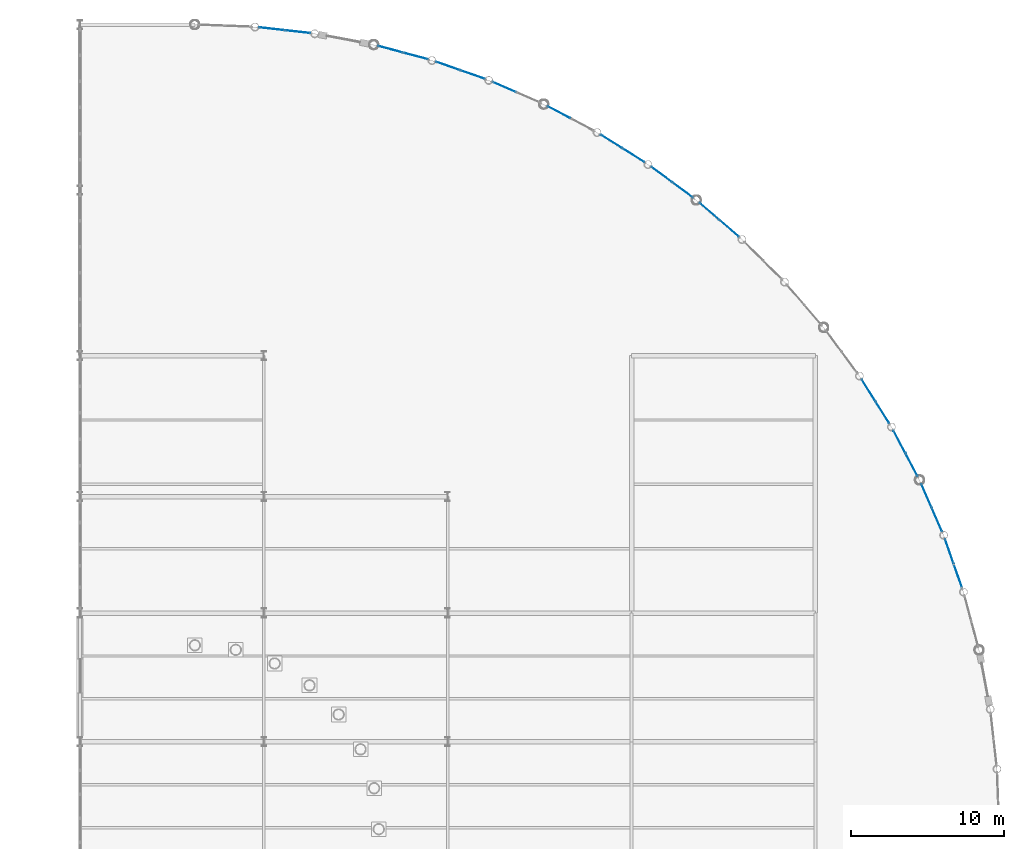
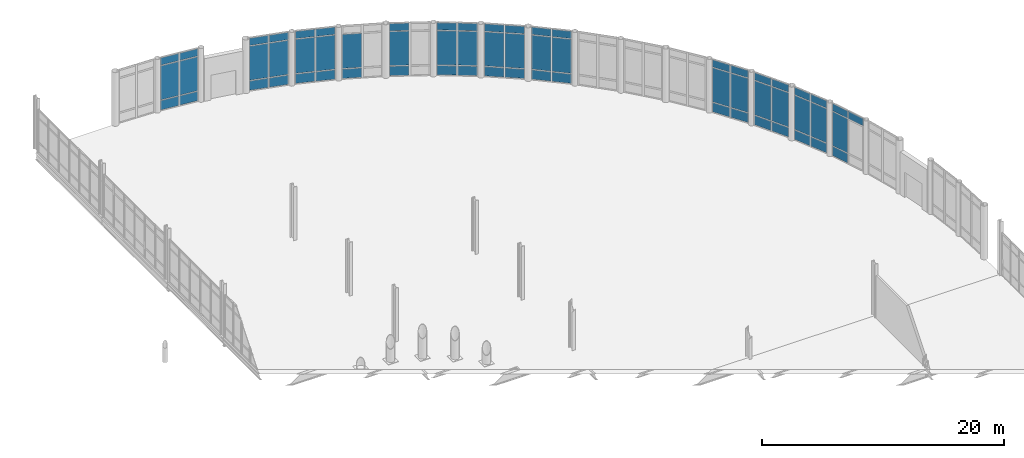
# One storey, part 92 of 111: 63 plates, 12 elements without a shape of their own.
"""IFC4 building model written with IfcOpenShell, lengths in metres."""

from ifc_helpers import new_model, si_unit, direction, frame, origin, origin_2d, place, context, subcontext, project, spatial, rectangle, extrude, material, layer, layer_set, type_object, element, aggregate, save


model = new_model("IFC4")

# Units and contexts
model_context = context("Model", 3, precision=1e-05, world=origin(), true_north=direction((0.0, 1.0)))
body_context = subcontext(model_context, "Body", "Model", "MODEL_VIEW")
ifc_project = project(units=[si_unit("LENGTHUNIT", "METRE"), si_unit("AREAUNIT", "SQUARE_METRE"), si_unit("VOLUMEUNIT", "CUBIC_METRE"), si_unit("PLANEANGLEUNIT", "RADIAN"), si_unit("MASSUNIT", "GRAM", prefix="KILO"), si_unit("THERMODYNAMICTEMPERATUREUNIT", "KELVIN"), si_unit("POWERUNIT", "WATT")], contexts=[model_context])

# Site, building, storey
site_placement = place(None, origin())
site = spatial("IfcSite", under=ifc_project, at=site_placement, CompositionType="ELEMENT")
building_placement = place(site_placement, origin())
building = spatial("IfcBuilding", under=site, at=building_placement, Name="Tembeka Court Mobility Hub", CompositionType="ELEMENT")
storey_placement = place(building_placement, origin())
storey = spatial("IfcBuildingStorey", under=building, at=storey_placement, Name="L00", CompositionType="ELEMENT", Elevation=0.0)

# Curtain wall, plates
ifc_material_1 = material(Name="Anodised aluminium 6063-T6", Category="aluminium")
ifc_layer_1 = layer(ifc_material_1, 0.199951171875)
ifc_layer_set_1 = layer_set([ifc_layer_1], Name="Anodised aluminium 6063-T6")
curtain_wall_type = type_object("IfcCurtainWallType", Name="CW-SYS24", PredefinedType="USERDEFINED", material=ifc_layer_set_1)
curtain_wall_1_placement = place(storey_placement, origin())
curtain_wall_1 = element("IfcCurtainWall", 1, at=curtain_wall_1_placement, inside=storey, type_object=curtain_wall_type, Name="Unitised curtain wall CW24 (CW-L00-051)", ObjectType="UNITISED GLAZING", PredefinedType="USERDEFINED")
ifc_material_2 = material(Name="Laminated solar-control low-E glass", Category="glass")
ifc_layer_2 = layer(ifc_material_2, 0.028076171875)
ifc_layer_set_2 = layer_set([ifc_layer_2], Name="Laminated solar-control low-E glass")
plate_type = type_object("IfcPlateType", Name="PL-CW01", PredefinedType="CURTAIN_PANEL", material=ifc_layer_set_2)
plate_1_placement = place(storey_placement, frame((173.700927734375, 82.822509765625, 4.58740234375), z_axis=(0.0, 0.0, 1.0), x_axis=(-0.330263534352, 0.943888763508, 0.0)))
plate_1 = element("IfcPlate", 2, at=plate_1_placement, type_object=plate_type, Name="CW24 panel 1.3", PredefinedType="CURTAIN_PANEL", context=body_context, shape_type="SweptSolid", body=[
    extrude(rectangle(XDim=1.630615234375, YDim=0.028076171875, at=origin_2d()), origin(), (0.0, 0.0, 1.0), 0.737548828125),
])
plate_2_placement = place(storey_placement, frame((173.1376953125, 84.432373046875, 0.074951171875), z_axis=(0.0, 0.0, 1.0), x_axis=(-0.330263534352, 0.943888763508, 0.0)))
plate_2 = element("IfcPlate", 3, at=plate_2_placement, type_object=plate_type, Name="CW24 panel 2.1", PredefinedType="CURTAIN_PANEL", context=body_context, shape_type="SweptSolid", body=[
    extrude(rectangle(XDim=1.630615234375, YDim=0.028076171875, at=origin_2d()), origin(), (0.0, 0.0, 1.0), 0.9375),
])
plate_3_placement = place(storey_placement, frame((173.1376953125, 84.432373046875, 1.08740234375), z_axis=(0.0, 0.0, 1.0), x_axis=(-0.330263534352, 0.943888763508, 0.0)))
plate_3 = element("IfcPlate", 4, at=plate_3_placement, type_object=plate_type, Name="CW24 panel 2.2", PredefinedType="CURTAIN_PANEL", context=body_context, shape_type="SweptSolid", body=[
    extrude(rectangle(XDim=1.630615234375, YDim=0.028076171875, at=origin_2d()), origin(), (0.0, 0.0, 1.0), 3.425048828125),
])
plate_4_placement = place(storey_placement, frame((173.1376953125, 84.432373046875, 4.58740234375), z_axis=(0.0, 0.0, 1.0), x_axis=(-0.330263534352, 0.943888763508, 0.0)))
plate_4 = element("IfcPlate", 5, at=plate_4_placement, type_object=plate_type, Name="CW24 panel 2.3", PredefinedType="CURTAIN_PANEL", context=body_context, shape_type="SweptSolid", body=[
    extrude(rectangle(XDim=1.630615234375, YDim=0.028076171875, at=origin_2d()), origin(), (0.0, 0.0, 1.0), 0.737548828125),
])
aggregate(curtain_wall_1, [plate_1, plate_2, plate_3, plate_4])

curtain_wall_2_placement = place(storey_placement, origin())
curtain_wall_2 = element("IfcCurtainWall", 6, at=curtain_wall_2_placement, inside=storey, type_object=curtain_wall_type, Name="Unitised curtain wall CW24 (CW-L00-053)", ObjectType="UNITISED GLAZING", PredefinedType="USERDEFINED")
plate_5_placement = place(storey_placement, frame((172.326904296875, 86.498046875, 0.074951171875), z_axis=(0.0, 0.0, 1.0), x_axis=(-0.399869097757, 0.916572258286, 0.0)))
plate_5 = element("IfcPlate", 7, at=plate_5_placement, type_object=plate_type, Name="CW24 panel 1.1", PredefinedType="CURTAIN_PANEL", context=body_context, shape_type="SweptSolid", body=[
    extrude(rectangle(XDim=1.630615234375, YDim=0.028076171875, at=origin_2d()), origin(), (0.0, 0.0, 1.0), 0.9375),
])
plate_6_placement = place(storey_placement, frame((172.326904296875, 86.498046875, 1.08740234375), z_axis=(0.0, 0.0, 1.0), x_axis=(-0.399869097757, 0.916572258286, 0.0)))
plate_6 = element("IfcPlate", 8, at=plate_6_placement, type_object=plate_type, Name="CW24 panel 1.2", PredefinedType="CURTAIN_PANEL", context=body_context, shape_type="SweptSolid", body=[
    extrude(rectangle(XDim=1.630615234375, YDim=0.028076171875, at=origin_2d()), origin(), (0.0, 0.0, 1.0), 3.425048828125),
])
plate_7_placement = place(storey_placement, frame((172.326904296875, 86.498046875, 4.58740234375), z_axis=(0.0, 0.0, 1.0), x_axis=(-0.399869097757, 0.916572258286, 0.0)))
plate_7 = element("IfcPlate", 9, at=plate_7_placement, type_object=plate_type, Name="CW24 panel 1.3", PredefinedType="CURTAIN_PANEL", context=body_context, shape_type="SweptSolid", body=[
    extrude(rectangle(XDim=1.630615234375, YDim=0.028076171875, at=origin_2d()), origin(), (0.0, 0.0, 1.0), 0.737548828125),
])
plate_8_placement = place(storey_placement, frame((171.64501953125, 88.061279296875, 0.074951171875), z_axis=(0.0, 0.0, 1.0), x_axis=(-0.399869097757, 0.916572258286, 0.0)))
plate_8 = element("IfcPlate", 10, at=plate_8_placement, type_object=plate_type, Name="CW24 panel 2.1", PredefinedType="CURTAIN_PANEL", context=body_context, shape_type="SweptSolid", body=[
    extrude(rectangle(XDim=1.630615234375, YDim=0.028076171875, at=origin_2d()), origin(), (0.0, 0.0, 1.0), 0.9375),
])
plate_9_placement = place(storey_placement, frame((171.64501953125, 88.061279296875, 1.08740234375), z_axis=(0.0, 0.0, 1.0), x_axis=(-0.399869097757, 0.916572258286, 0.0)))
plate_9 = element("IfcPlate", 11, at=plate_9_placement, type_object=plate_type, Name="CW24 panel 2.2", PredefinedType="CURTAIN_PANEL", context=body_context, shape_type="SweptSolid", body=[
    extrude(rectangle(XDim=1.630615234375, YDim=0.028076171875, at=origin_2d()), origin(), (0.0, 0.0, 1.0), 3.425048828125),
])
plate_10_placement = place(storey_placement, frame((171.64501953125, 88.061279296875, 4.58740234375), z_axis=(0.0, 0.0, 1.0), x_axis=(-0.399869097757, 0.916572258286, 0.0)))
plate_10 = element("IfcPlate", 12, at=plate_10_placement, type_object=plate_type, Name="CW24 panel 2.3", PredefinedType="CURTAIN_PANEL", context=body_context, shape_type="SweptSolid", body=[
    extrude(rectangle(XDim=1.630615234375, YDim=0.028076171875, at=origin_2d()), origin(), (0.0, 0.0, 1.0), 0.737548828125),
])
aggregate(curtain_wall_2, [plate_5, plate_6, plate_7, plate_8, plate_9, plate_10])

curtain_wall_3_placement = place(storey_placement, origin())
curtain_wall_3 = element("IfcCurtainWall", 13, at=curtain_wall_3_placement, inside=storey, type_object=curtain_wall_type, Name="Unitised curtain wall CW24 (CW-L00-055)", ObjectType="UNITISED GLAZING", PredefinedType="USERDEFINED")
plate_11_placement = place(storey_placement, frame((170.68212890625, 90.060546875, 0.074951171875), z_axis=(0.0, 0.0, 1.0), x_axis=(-0.467282662225, 0.884107976202, 0.0)))
plate_11 = element("IfcPlate", 14, at=plate_11_placement, type_object=plate_type, Name="CW24 panel 1.1", PredefinedType="CURTAIN_PANEL", context=body_context, shape_type="SweptSolid", body=[
    extrude(rectangle(XDim=1.630615234375, YDim=0.028076171875, at=origin_2d()), origin(), (0.0, 0.0, 1.0), 0.9375),
])
plate_12_placement = place(storey_placement, frame((170.68212890625, 90.060546875, 1.08740234375), z_axis=(0.0, 0.0, 1.0), x_axis=(-0.467282662225, 0.884107976202, 0.0)))
plate_12 = element("IfcPlate", 15, at=plate_12_placement, type_object=plate_type, Name="CW24 panel 1.2", PredefinedType="CURTAIN_PANEL", context=body_context, shape_type="SweptSolid", body=[
    extrude(rectangle(XDim=1.630615234375, YDim=0.028076171875, at=origin_2d()), origin(), (0.0, 0.0, 1.0), 3.425048828125),
])
plate_13_placement = place(storey_placement, frame((170.68212890625, 90.060546875, 4.58740234375), z_axis=(0.0, 0.0, 1.0), x_axis=(-0.467282662225, 0.884107976202, 0.0)))
plate_13 = element("IfcPlate", 16, at=plate_13_placement, type_object=plate_type, Name="CW24 panel 1.3", PredefinedType="CURTAIN_PANEL", context=body_context, shape_type="SweptSolid", body=[
    extrude(rectangle(XDim=1.630615234375, YDim=0.028076171875, at=origin_2d()), origin(), (0.0, 0.0, 1.0), 0.737548828125),
])
plate_14_placement = place(storey_placement, frame((169.885009765625, 91.568359375, 0.074951171875), z_axis=(0.0, 0.0, 1.0), x_axis=(-0.467282662225, 0.884107976202, 0.0)))
plate_14 = element("IfcPlate", 17, at=plate_14_placement, type_object=plate_type, Name="CW24 panel 2.1", PredefinedType="CURTAIN_PANEL", context=body_context, shape_type="SweptSolid", body=[
    extrude(rectangle(XDim=1.630615234375, YDim=0.028076171875, at=origin_2d()), origin(), (0.0, 0.0, 1.0), 0.9375),
])
plate_15_placement = place(storey_placement, frame((169.885009765625, 91.568359375, 1.08740234375), z_axis=(0.0, 0.0, 1.0), x_axis=(-0.467282662225, 0.884107976202, 0.0)))
plate_15 = element("IfcPlate", 18, at=plate_15_placement, type_object=plate_type, Name="CW24 panel 2.2", PredefinedType="CURTAIN_PANEL", context=body_context, shape_type="SweptSolid", body=[
    extrude(rectangle(XDim=1.630615234375, YDim=0.028076171875, at=origin_2d()), origin(), (0.0, 0.0, 1.0), 3.425048828125),
])
plate_16_placement = place(storey_placement, frame((169.885009765625, 91.568359375, 4.58740234375), z_axis=(0.0, 0.0, 1.0), x_axis=(-0.467282662225, 0.884107976202, 0.0)))
plate_16 = element("IfcPlate", 19, at=plate_16_placement, type_object=plate_type, Name="CW24 panel 2.3", PredefinedType="CURTAIN_PANEL", context=body_context, shape_type="SweptSolid", body=[
    extrude(rectangle(XDim=1.630615234375, YDim=0.028076171875, at=origin_2d()), origin(), (0.0, 0.0, 1.0), 0.737548828125),
])
aggregate(curtain_wall_3, [plate_11, plate_12, plate_13, plate_14, plate_15, plate_16])

curtain_wall_4_placement = place(storey_placement, origin())
curtain_wall_4 = element("IfcCurtainWall", 20, at=curtain_wall_4_placement, inside=storey, type_object=curtain_wall_type, Name="Unitised curtain wall CW24 (CW-L00-057)", ObjectType="UNITISED GLAZING", PredefinedType="USERDEFINED")
plate_17_placement = place(storey_placement, frame((168.775634765625, 93.489990234375, 0.074951171875), z_axis=(0.0, 0.0, 1.0), x_axis=(-0.532057570744, 0.846708179607, 0.0)))
plate_17 = element("IfcPlate", 21, at=plate_17_placement, type_object=plate_type, Name="CW24 panel 1.1", PredefinedType="CURTAIN_PANEL", context=body_context, shape_type="SweptSolid", body=[
    extrude(rectangle(XDim=1.630615234375, YDim=0.028076171875, at=origin_2d()), origin(), (0.0, 0.0, 1.0), 0.9375),
])
plate_18_placement = place(storey_placement, frame((168.775634765625, 93.489990234375, 1.08740234375), z_axis=(0.0, 0.0, 1.0), x_axis=(-0.532057570744, 0.846708179607, 0.0)))
plate_18 = element("IfcPlate", 22, at=plate_18_placement, type_object=plate_type, Name="CW24 panel 1.2", PredefinedType="CURTAIN_PANEL", context=body_context, shape_type="SweptSolid", body=[
    extrude(rectangle(XDim=1.630615234375, YDim=0.028076171875, at=origin_2d()), origin(), (0.0, 0.0, 1.0), 3.425048828125),
])
plate_19_placement = place(storey_placement, frame((168.775634765625, 93.489990234375, 4.58740234375), z_axis=(0.0, 0.0, 1.0), x_axis=(-0.532057570744, 0.846708179607, 0.0)))
plate_19 = element("IfcPlate", 23, at=plate_19_placement, type_object=plate_type, Name="CW24 panel 1.3", PredefinedType="CURTAIN_PANEL", context=body_context, shape_type="SweptSolid", body=[
    extrude(rectangle(XDim=1.630615234375, YDim=0.028076171875, at=origin_2d()), origin(), (0.0, 0.0, 1.0), 0.737548828125),
])
plate_20_placement = place(storey_placement, frame((167.8681640625, 94.93408203125, 0.074951171875), z_axis=(0.0, 0.0, 1.0), x_axis=(-0.532057570744, 0.846708179607, 0.0)))
plate_20 = element("IfcPlate", 24, at=plate_20_placement, type_object=plate_type, Name="CW24 panel 2.1", PredefinedType="CURTAIN_PANEL", context=body_context, shape_type="SweptSolid", body=[
    extrude(rectangle(XDim=1.630615234375, YDim=0.028076171875, at=origin_2d()), origin(), (0.0, 0.0, 1.0), 0.9375),
])
plate_21_placement = place(storey_placement, frame((167.8681640625, 94.93408203125, 1.08740234375), z_axis=(0.0, 0.0, 1.0), x_axis=(-0.532057570744, 0.846708179607, 0.0)))
plate_21 = element("IfcPlate", 25, at=plate_21_placement, type_object=plate_type, Name="CW24 panel 2.2", PredefinedType="CURTAIN_PANEL", context=body_context, shape_type="SweptSolid", body=[
    extrude(rectangle(XDim=1.630615234375, YDim=0.028076171875, at=origin_2d()), origin(), (0.0, 0.0, 1.0), 3.425048828125),
])
plate_22_placement = place(storey_placement, frame((167.8681640625, 94.93408203125, 4.58740234375), z_axis=(0.0, 0.0, 1.0), x_axis=(-0.532057570744, 0.846708179607, 0.0)))
plate_22 = element("IfcPlate", 26, at=plate_22_placement, type_object=plate_type, Name="CW24 panel 2.3", PredefinedType="CURTAIN_PANEL", context=body_context, shape_type="SweptSolid", body=[
    extrude(rectangle(XDim=1.630615234375, YDim=0.028076171875, at=origin_2d()), origin(), (0.0, 0.0, 1.0), 0.737548828125),
])
aggregate(curtain_wall_4, [plate_17, plate_18, plate_19, plate_20, plate_21, plate_22])

curtain_wall_5_placement = place(storey_placement, origin())
curtain_wall_5 = element("IfcCurtainWall", 27, at=curtain_wall_5_placement, inside=storey, type_object=curtain_wall_type, Name="Unitised curtain wall CW24 (CW-L00-065)", ObjectType="UNITISED GLAZING", PredefinedType="USERDEFINED")
plate_23_placement = place(storey_placement, frame((158.767578125, 105.509521484375, 0.074951171875), z_axis=(0.0, 0.0, 1.0), x_axis=(-0.757955131428, 0.652306690707, 0.0)))
plate_23 = element("IfcPlate", 28, at=plate_23_placement, type_object=plate_type, Name="CW24 panel 1.1", PredefinedType="CURTAIN_PANEL", context=body_context, shape_type="SweptSolid", body=[
    extrude(rectangle(XDim=1.630615234375, YDim=0.028076171875, at=origin_2d()), origin(), (0.0, 0.0, 1.0), 0.9375),
])
plate_24_placement = place(storey_placement, frame((158.767578125, 105.509521484375, 1.08740234375), z_axis=(0.0, 0.0, 1.0), x_axis=(-0.757955131428, 0.652306690707, 0.0)))
plate_24 = element("IfcPlate", 29, at=plate_24_placement, type_object=plate_type, Name="CW24 panel 1.2", PredefinedType="CURTAIN_PANEL", context=body_context, shape_type="SweptSolid", body=[
    extrude(rectangle(XDim=1.630615234375, YDim=0.028076171875, at=origin_2d()), origin(), (0.0, 0.0, 1.0), 3.425048828125),
])
plate_25_placement = place(storey_placement, frame((158.767578125, 105.509521484375, 4.58740234375), z_axis=(0.0, 0.0, 1.0), x_axis=(-0.757955131428, 0.652306690707, 0.0)))
plate_25 = element("IfcPlate", 30, at=plate_25_placement, type_object=plate_type, Name="CW24 panel 1.3", PredefinedType="CURTAIN_PANEL", context=body_context, shape_type="SweptSolid", body=[
    extrude(rectangle(XDim=1.630615234375, YDim=0.028076171875, at=origin_2d()), origin(), (0.0, 0.0, 1.0), 0.737548828125),
])
plate_26_placement = place(storey_placement, frame((157.474853515625, 106.6220703125, 0.074951171875), z_axis=(0.0, 0.0, 1.0), x_axis=(-0.757955131428, 0.652306690707, 0.0)))
plate_26 = element("IfcPlate", 31, at=plate_26_placement, type_object=plate_type, Name="CW24 panel 2.1", PredefinedType="CURTAIN_PANEL", context=body_context, shape_type="SweptSolid", body=[
    extrude(rectangle(XDim=1.630615234375, YDim=0.028076171875, at=origin_2d()), origin(), (0.0, 0.0, 1.0), 0.9375),
])
plate_27_placement = place(storey_placement, frame((157.474853515625, 106.6220703125, 1.08740234375), z_axis=(0.0, 0.0, 1.0), x_axis=(-0.757955131428, 0.652306690707, 0.0)))
plate_27 = element("IfcPlate", 32, at=plate_27_placement, type_object=plate_type, Name="CW24 panel 2.2", PredefinedType="CURTAIN_PANEL", context=body_context, shape_type="SweptSolid", body=[
    extrude(rectangle(XDim=1.630615234375, YDim=0.028076171875, at=origin_2d()), origin(), (0.0, 0.0, 1.0), 3.425048828125),
])
plate_28_placement = place(storey_placement, frame((157.474853515625, 106.6220703125, 4.58740234375), z_axis=(0.0, 0.0, 1.0), x_axis=(-0.757955131428, 0.652306690707, 0.0)))
plate_28 = element("IfcPlate", 33, at=plate_28_placement, type_object=plate_type, Name="CW24 panel 2.3", PredefinedType="CURTAIN_PANEL", context=body_context, shape_type="SweptSolid", body=[
    extrude(rectangle(XDim=1.630615234375, YDim=0.028076171875, at=origin_2d()), origin(), (0.0, 0.0, 1.0), 0.737548828125),
])
aggregate(curtain_wall_5, [plate_23, plate_24, plate_25, plate_26, plate_27, plate_28])

curtain_wall_6_placement = place(storey_placement, origin())
curtain_wall_6 = element("IfcCurtainWall", 34, at=curtain_wall_6_placement, inside=storey, type_object=curtain_wall_type, Name="Unitised curtain wall CW24 (CW-L00-067)", ObjectType="UNITISED GLAZING", PredefinedType="USERDEFINED")
plate_29_placement = place(storey_placement, frame((155.739990234375, 108.00537109375, 0.074951171875), z_axis=(0.0, 0.0, 1.0), x_axis=(-0.804599206298, 0.593818252688, 0.0)))
plate_29 = element("IfcPlate", 35, at=plate_29_placement, type_object=plate_type, Name="CW24 panel 1.1", PredefinedType="CURTAIN_PANEL", context=body_context, shape_type="SweptSolid", body=[
    extrude(rectangle(XDim=1.630615234375, YDim=0.028076171875, at=origin_2d()), origin(), (0.0, 0.0, 1.0), 0.9375),
])
plate_30_placement = place(storey_placement, frame((155.739990234375, 108.00537109375, 1.08740234375), z_axis=(0.0, 0.0, 1.0), x_axis=(-0.804599206298, 0.593818252688, 0.0)))
plate_30 = element("IfcPlate", 36, at=plate_30_placement, type_object=plate_type, Name="CW24 panel 1.2", PredefinedType="CURTAIN_PANEL", context=body_context, shape_type="SweptSolid", body=[
    extrude(rectangle(XDim=1.630615234375, YDim=0.028076171875, at=origin_2d()), origin(), (0.0, 0.0, 1.0), 3.425048828125),
])
plate_31_placement = place(storey_placement, frame((155.739990234375, 108.00537109375, 4.58740234375), z_axis=(0.0, 0.0, 1.0), x_axis=(-0.804599206298, 0.593818252688, 0.0)))
plate_31 = element("IfcPlate", 37, at=plate_31_placement, type_object=plate_type, Name="CW24 panel 1.3", PredefinedType="CURTAIN_PANEL", context=body_context, shape_type="SweptSolid", body=[
    extrude(rectangle(XDim=1.630615234375, YDim=0.028076171875, at=origin_2d()), origin(), (0.0, 0.0, 1.0), 0.737548828125),
])
plate_32_placement = place(storey_placement, frame((154.36767578125, 109.018310546875, 0.074951171875), z_axis=(0.0, 0.0, 1.0), x_axis=(-0.804599206298, 0.593818252688, 0.0)))
plate_32 = element("IfcPlate", 38, at=plate_32_placement, type_object=plate_type, Name="CW24 panel 2.1", PredefinedType="CURTAIN_PANEL", context=body_context, shape_type="SweptSolid", body=[
    extrude(rectangle(XDim=1.630615234375, YDim=0.028076171875, at=origin_2d()), origin(), (0.0, 0.0, 1.0), 0.9375),
])
plate_33_placement = place(storey_placement, frame((154.36767578125, 109.018310546875, 1.08740234375), z_axis=(0.0, 0.0, 1.0), x_axis=(-0.804599206298, 0.593818252688, 0.0)))
plate_33 = element("IfcPlate", 39, at=plate_33_placement, type_object=plate_type, Name="CW24 panel 2.2", PredefinedType="CURTAIN_PANEL", context=body_context, shape_type="SweptSolid", body=[
    extrude(rectangle(XDim=1.630615234375, YDim=0.028076171875, at=origin_2d()), origin(), (0.0, 0.0, 1.0), 3.425048828125),
])
plate_34_placement = place(storey_placement, frame((154.36767578125, 109.018310546875, 4.58740234375), z_axis=(0.0, 0.0, 1.0), x_axis=(-0.804599206298, 0.593818252688, 0.0)))
plate_34 = element("IfcPlate", 40, at=plate_34_placement, type_object=plate_type, Name="CW24 panel 2.3", PredefinedType="CURTAIN_PANEL", context=body_context, shape_type="SweptSolid", body=[
    extrude(rectangle(XDim=1.630615234375, YDim=0.028076171875, at=origin_2d()), origin(), (0.0, 0.0, 1.0), 0.737548828125),
])
aggregate(curtain_wall_6, [plate_29, plate_30, plate_31, plate_32, plate_33, plate_34])

curtain_wall_7_placement = place(storey_placement, origin())
curtain_wall_7 = element("IfcCurtainWall", 41, at=curtain_wall_7_placement, inside=storey, type_object=curtain_wall_type, Name="Unitised curtain wall CW24 (CW-L00-069)", ObjectType="UNITISED GLAZING", PredefinedType="USERDEFINED")
plate_35_placement = place(storey_placement, frame((152.5341796875, 110.26806640625, 0.074951171875), z_axis=(0.0, 0.0, 1.0), x_axis=(-0.846708179607, 0.532057570744, 0.0)))
plate_35 = element("IfcPlate", 42, at=plate_35_placement, type_object=plate_type, Name="CW24 panel 1.1", PredefinedType="CURTAIN_PANEL", context=body_context, shape_type="SweptSolid", body=[
    extrude(rectangle(XDim=1.630615234375, YDim=0.028076171875, at=origin_2d()), origin(), (0.0, 0.0, 1.0), 0.9375),
])
plate_36_placement = place(storey_placement, frame((152.5341796875, 110.26806640625, 1.08740234375), z_axis=(0.0, 0.0, 1.0), x_axis=(-0.846708179607, 0.532057570744, 0.0)))
plate_36 = element("IfcPlate", 43, at=plate_36_placement, type_object=plate_type, Name="CW24 panel 1.2", PredefinedType="CURTAIN_PANEL", context=body_context, shape_type="SweptSolid", body=[
    extrude(rectangle(XDim=1.630615234375, YDim=0.028076171875, at=origin_2d()), origin(), (0.0, 0.0, 1.0), 3.425048828125),
])
plate_37_placement = place(storey_placement, frame((152.5341796875, 110.26806640625, 4.58740234375), z_axis=(0.0, 0.0, 1.0), x_axis=(-0.846708179607, 0.532057570744, 0.0)))
plate_37 = element("IfcPlate", 44, at=plate_37_placement, type_object=plate_type, Name="CW24 panel 1.3", PredefinedType="CURTAIN_PANEL", context=body_context, shape_type="SweptSolid", body=[
    extrude(rectangle(XDim=1.630615234375, YDim=0.028076171875, at=origin_2d()), origin(), (0.0, 0.0, 1.0), 0.737548828125),
])
plate_38_placement = place(storey_placement, frame((151.090087890625, 111.175537109375, 0.074951171875), z_axis=(0.0, 0.0, 1.0), x_axis=(-0.846708179607, 0.532057570744, 0.0)))
plate_38 = element("IfcPlate", 45, at=plate_38_placement, type_object=plate_type, Name="CW24 panel 2.1", PredefinedType="CURTAIN_PANEL", context=body_context, shape_type="SweptSolid", body=[
    extrude(rectangle(XDim=1.630615234375, YDim=0.028076171875, at=origin_2d()), origin(), (0.0, 0.0, 1.0), 0.9375),
])
plate_39_placement = place(storey_placement, frame((151.090087890625, 111.175537109375, 1.08740234375), z_axis=(0.0, 0.0, 1.0), x_axis=(-0.846708179607, 0.532057570744, 0.0)))
plate_39 = element("IfcPlate", 46, at=plate_39_placement, type_object=plate_type, Name="CW24 panel 2.2", PredefinedType="CURTAIN_PANEL", context=body_context, shape_type="SweptSolid", body=[
    extrude(rectangle(XDim=1.630615234375, YDim=0.028076171875, at=origin_2d()), origin(), (0.0, 0.0, 1.0), 3.425048828125),
])
plate_40_placement = place(storey_placement, frame((151.090087890625, 111.175537109375, 4.58740234375), z_axis=(0.0, 0.0, 1.0), x_axis=(-0.846708179607, 0.532057570744, 0.0)))
plate_40 = element("IfcPlate", 47, at=plate_40_placement, type_object=plate_type, Name="CW24 panel 2.3", PredefinedType="CURTAIN_PANEL", context=body_context, shape_type="SweptSolid", body=[
    extrude(rectangle(XDim=1.630615234375, YDim=0.028076171875, at=origin_2d()), origin(), (0.0, 0.0, 1.0), 0.737548828125),
])
aggregate(curtain_wall_7, [plate_35, plate_36, plate_37, plate_38, plate_39, plate_40])

curtain_wall_8_placement = place(storey_placement, origin())
curtain_wall_8 = element("IfcCurtainWall", 48, at=curtain_wall_8_placement, inside=storey, type_object=curtain_wall_type, Name="Unitised curtain wall CW24 (CW-L00-071)", ObjectType="UNITISED GLAZING", PredefinedType="USERDEFINED")
plate_41_placement = place(storey_placement, frame((147.660400390625, 113.08203125, 0.074951171875), z_axis=(0.0, 0.0, 1.0), x_axis=(-0.884107976202, 0.467282662225, 0.0)))
plate_41 = element("IfcPlate", 49, at=plate_41_placement, type_object=plate_type, Name="CW24 panel 2.1", PredefinedType="CURTAIN_PANEL", context=body_context, shape_type="SweptSolid", body=[
    extrude(rectangle(XDim=1.630615234375, YDim=0.028076171875, at=origin_2d()), origin(), (0.0, 0.0, 1.0), 0.9375),
])
plate_42_placement = place(storey_placement, frame((147.660400390625, 113.08203125, 1.08740234375), z_axis=(0.0, 0.0, 1.0), x_axis=(-0.884107976202, 0.467282662225, 0.0)))
plate_42 = element("IfcPlate", 50, at=plate_42_placement, type_object=plate_type, Name="CW24 panel 2.2", PredefinedType="CURTAIN_PANEL", context=body_context, shape_type="SweptSolid", body=[
    extrude(rectangle(XDim=1.630615234375, YDim=0.028076171875, at=origin_2d()), origin(), (0.0, 0.0, 1.0), 3.425048828125),
])
plate_43_placement = place(storey_placement, frame((147.660400390625, 113.08203125, 4.58740234375), z_axis=(0.0, 0.0, 1.0), x_axis=(-0.884107976202, 0.467282662225, 0.0)))
plate_43 = element("IfcPlate", 51, at=plate_43_placement, type_object=plate_type, Name="CW24 panel 2.3", PredefinedType="CURTAIN_PANEL", context=body_context, shape_type="SweptSolid", body=[
    extrude(rectangle(XDim=1.630615234375, YDim=0.028076171875, at=origin_2d()), origin(), (0.0, 0.0, 1.0), 0.737548828125),
])
aggregate(curtain_wall_8, [plate_41, plate_42, plate_43])

curtain_wall_9_placement = place(storey_placement, origin())
curtain_wall_9 = element("IfcCurtainWall", 52, at=curtain_wall_9_placement, inside=storey, type_object=curtain_wall_type, Name="Unitised curtain wall CW24 (CW-L00-073)", ObjectType="UNITISED GLAZING", PredefinedType="USERDEFINED")
plate_44_placement = place(storey_placement, frame((144.097900390625, 114.726806640625, 0.074951171875), z_axis=(0.0, 0.0, 1.0), x_axis=(-0.916572258286, 0.399869097757, 0.0)))
plate_44 = element("IfcPlate", 53, at=plate_44_placement, type_object=plate_type, Name="CW24 panel 2.1", PredefinedType="CURTAIN_PANEL", context=body_context, shape_type="SweptSolid", body=[
    extrude(rectangle(XDim=1.630615234375, YDim=0.028076171875, at=origin_2d()), origin(), (0.0, 0.0, 1.0), 0.9375),
])
plate_45_placement = place(storey_placement, frame((144.097900390625, 114.726806640625, 1.08740234375), z_axis=(0.0, 0.0, 1.0), x_axis=(-0.916572258286, 0.399869097757, 0.0)))
plate_45 = element("IfcPlate", 54, at=plate_45_placement, type_object=plate_type, Name="CW24 panel 2.2", PredefinedType="CURTAIN_PANEL", context=body_context, shape_type="SweptSolid", body=[
    extrude(rectangle(XDim=1.630615234375, YDim=0.028076171875, at=origin_2d()), origin(), (0.0, 0.0, 1.0), 3.425048828125),
])
aggregate(curtain_wall_9, [plate_44, plate_45])

curtain_wall_10_placement = place(storey_placement, origin())
curtain_wall_10 = element("IfcCurtainWall", 55, at=curtain_wall_10_placement, inside=storey, type_object=curtain_wall_type, Name="Unitised curtain wall CW24 (CW-L00-075)", ObjectType="UNITISED GLAZING", PredefinedType="USERDEFINED")
plate_46_placement = place(storey_placement, frame((142.032470703125, 115.53759765625, 0.074951171875), z_axis=(0.0, 0.0, 1.0), x_axis=(-0.943888763508, 0.330263534352, 0.0)))
plate_46 = element("IfcPlate", 56, at=plate_46_placement, type_object=plate_type, Name="CW24 panel 1.1", PredefinedType="CURTAIN_PANEL", context=body_context, shape_type="SweptSolid", body=[
    extrude(rectangle(XDim=1.630615234375, YDim=0.028076171875, at=origin_2d()), origin(), (0.0, 0.0, 1.0), 0.9375),
])
plate_47_placement = place(storey_placement, frame((142.032470703125, 115.53759765625, 1.08740234375), z_axis=(0.0, 0.0, 1.0), x_axis=(-0.943888763508, 0.330263534352, 0.0)))
plate_47 = element("IfcPlate", 57, at=plate_47_placement, type_object=plate_type, Name="CW24 panel 1.2", PredefinedType="CURTAIN_PANEL", context=body_context, shape_type="SweptSolid", body=[
    extrude(rectangle(XDim=1.630615234375, YDim=0.028076171875, at=origin_2d()), origin(), (0.0, 0.0, 1.0), 3.425048828125),
])
plate_48_placement = place(storey_placement, frame((142.032470703125, 115.53759765625, 4.58740234375), z_axis=(0.0, 0.0, 1.0), x_axis=(-0.943888763508, 0.330263534352, 0.0)))
plate_48 = element("IfcPlate", 58, at=plate_48_placement, type_object=plate_type, Name="CW24 panel 1.3", PredefinedType="CURTAIN_PANEL", context=body_context, shape_type="SweptSolid", body=[
    extrude(rectangle(XDim=1.630615234375, YDim=0.028076171875, at=origin_2d()), origin(), (0.0, 0.0, 1.0), 0.737548828125),
])
plate_49_placement = place(storey_placement, frame((140.422607421875, 116.100830078125, 0.074951171875), z_axis=(0.0, 0.0, 1.0), x_axis=(-0.943888763508, 0.330263534352, 0.0)))
plate_49 = element("IfcPlate", 59, at=plate_49_placement, type_object=plate_type, Name="CW24 panel 2.1", PredefinedType="CURTAIN_PANEL", context=body_context, shape_type="SweptSolid", body=[
    extrude(rectangle(XDim=1.630615234375, YDim=0.028076171875, at=origin_2d()), origin(), (0.0, 0.0, 1.0), 0.9375),
])
plate_50_placement = place(storey_placement, frame((140.422607421875, 116.100830078125, 1.08740234375), z_axis=(0.0, 0.0, 1.0), x_axis=(-0.943888763508, 0.330263534352, 0.0)))
plate_50 = element("IfcPlate", 60, at=plate_50_placement, type_object=plate_type, Name="CW24 panel 2.2", PredefinedType="CURTAIN_PANEL", context=body_context, shape_type="SweptSolid", body=[
    extrude(rectangle(XDim=1.630615234375, YDim=0.028076171875, at=origin_2d()), origin(), (0.0, 0.0, 1.0), 3.425048828125),
])
plate_51_placement = place(storey_placement, frame((140.422607421875, 116.100830078125, 4.58740234375), z_axis=(0.0, 0.0, 1.0), x_axis=(-0.943888763508, 0.330263534352, 0.0)))
plate_51 = element("IfcPlate", 61, at=plate_51_placement, type_object=plate_type, Name="CW24 panel 2.3", PredefinedType="CURTAIN_PANEL", context=body_context, shape_type="SweptSolid", body=[
    extrude(rectangle(XDim=1.630615234375, YDim=0.028076171875, at=origin_2d()), origin(), (0.0, 0.0, 1.0), 0.737548828125),
])
aggregate(curtain_wall_10, [plate_46, plate_47, plate_48, plate_49, plate_50, plate_51])

curtain_wall_11_placement = place(storey_placement, origin())
curtain_wall_11 = element("IfcCurtainWall", 62, at=curtain_wall_11_placement, inside=storey, type_object=curtain_wall_type, Name="Unitised curtain wall CW24 (CW-L00-077)", ObjectType="UNITISED GLAZING", PredefinedType="USERDEFINED")
plate_52_placement = place(storey_placement, frame((138.30224609375, 116.7548828125, 0.074951171875), z_axis=(0.0, 0.0, 1.0), x_axis=(-0.96592333891, 0.258828327951, 0.0)))
plate_52 = element("IfcPlate", 63, at=plate_52_placement, type_object=plate_type, Name="CW24 panel 1.1", PredefinedType="CURTAIN_PANEL", context=body_context, shape_type="SweptSolid", body=[
    extrude(rectangle(XDim=1.630615234375, YDim=0.028076171875, at=origin_2d()), origin(), (0.0, 0.0, 1.0), 0.9375),
])
plate_53_placement = place(storey_placement, frame((138.30224609375, 116.7548828125, 1.08740234375), z_axis=(0.0, 0.0, 1.0), x_axis=(-0.96592333891, 0.258828327951, 0.0)))
plate_53 = element("IfcPlate", 64, at=plate_53_placement, type_object=plate_type, Name="CW24 panel 1.2", PredefinedType="CURTAIN_PANEL", context=body_context, shape_type="SweptSolid", body=[
    extrude(rectangle(XDim=1.630615234375, YDim=0.028076171875, at=origin_2d()), origin(), (0.0, 0.0, 1.0), 3.425048828125),
])
plate_54_placement = place(storey_placement, frame((138.30224609375, 116.7548828125, 4.58740234375), z_axis=(0.0, 0.0, 1.0), x_axis=(-0.96592333891, 0.258828327951, 0.0)))
plate_54 = element("IfcPlate", 65, at=plate_54_placement, type_object=plate_type, Name="CW24 panel 1.3", PredefinedType="CURTAIN_PANEL", context=body_context, shape_type="SweptSolid", body=[
    extrude(rectangle(XDim=1.630615234375, YDim=0.028076171875, at=origin_2d()), origin(), (0.0, 0.0, 1.0), 0.737548828125),
])
plate_55_placement = place(storey_placement, frame((136.65478515625, 117.1962890625, 0.074951171875), z_axis=(0.0, 0.0, 1.0), x_axis=(-0.96592333891, 0.258828327951, 0.0)))
plate_55 = element("IfcPlate", 66, at=plate_55_placement, type_object=plate_type, Name="CW24 panel 2.1", PredefinedType="CURTAIN_PANEL", context=body_context, shape_type="SweptSolid", body=[
    extrude(rectangle(XDim=1.630615234375, YDim=0.028076171875, at=origin_2d()), origin(), (0.0, 0.0, 1.0), 0.9375),
])
plate_56_placement = place(storey_placement, frame((136.65478515625, 117.1962890625, 1.08740234375), z_axis=(0.0, 0.0, 1.0), x_axis=(-0.96592333891, 0.258828327951, 0.0)))
plate_56 = element("IfcPlate", 67, at=plate_56_placement, type_object=plate_type, Name="CW24 panel 2.2", PredefinedType="CURTAIN_PANEL", context=body_context, shape_type="SweptSolid", body=[
    extrude(rectangle(XDim=1.630615234375, YDim=0.028076171875, at=origin_2d()), origin(), (0.0, 0.0, 1.0), 3.425048828125),
])
plate_57_placement = place(storey_placement, frame((136.65478515625, 117.1962890625, 4.58740234375), z_axis=(0.0, 0.0, 1.0), x_axis=(-0.96592333891, 0.258828327951, 0.0)))
plate_57 = element("IfcPlate", 68, at=plate_57_placement, type_object=plate_type, Name="CW24 panel 2.3", PredefinedType="CURTAIN_PANEL", context=body_context, shape_type="SweptSolid", body=[
    extrude(rectangle(XDim=1.630615234375, YDim=0.028076171875, at=origin_2d()), origin(), (0.0, 0.0, 1.0), 0.737548828125),
])
aggregate(curtain_wall_11, [plate_52, plate_53, plate_54, plate_55, plate_56, plate_57])

curtain_wall_12_placement = place(storey_placement, origin())
curtain_wall_12 = element("IfcCurtainWall", 69, at=curtain_wall_12_placement, inside=storey, type_object=curtain_wall_type, Name="Unitised curtain wall CW24 (CW-L00-079)", ObjectType="UNITISED GLAZING", PredefinedType="USERDEFINED")
plate_58_placement = place(storey_placement, frame((130.621337890625, 118.337890625, 0.074951171875), z_axis=(0.0, 0.0, 1.0), x_axis=(-0.993709707443, 0.111986683735, 0.0)))
plate_58 = element("IfcPlate", 70, at=plate_58_placement, type_object=plate_type, Name="CW24 panel 1.1", PredefinedType="CURTAIN_PANEL", context=body_context, shape_type="SweptSolid", body=[
    extrude(rectangle(XDim=1.630615234375, YDim=0.028076171875, at=origin_2d()), origin(), (0.0, 0.0, 1.0), 0.9375),
])
plate_59_placement = place(storey_placement, frame((130.621337890625, 118.337890625, 1.08740234375), z_axis=(0.0, 0.0, 1.0), x_axis=(-0.993709707443, 0.111986683735, 0.0)))
plate_59 = element("IfcPlate", 71, at=plate_59_placement, type_object=plate_type, Name="CW24 panel 1.2", PredefinedType="CURTAIN_PANEL", context=body_context, shape_type="SweptSolid", body=[
    extrude(rectangle(XDim=1.630615234375, YDim=0.028076171875, at=origin_2d()), origin(), (0.0, 0.0, 1.0), 3.425048828125),
])
plate_60_placement = place(storey_placement, frame((130.621337890625, 118.337890625, 4.58740234375), z_axis=(0.0, 0.0, 1.0), x_axis=(-0.993709707443, 0.111986683735, 0.0)))
plate_60 = element("IfcPlate", 72, at=plate_60_placement, type_object=plate_type, Name="CW24 panel 1.3", PredefinedType="CURTAIN_PANEL", context=body_context, shape_type="SweptSolid", body=[
    extrude(rectangle(XDim=1.630615234375, YDim=0.028076171875, at=origin_2d()), origin(), (0.0, 0.0, 1.0), 0.737548828125),
])
plate_61_placement = place(storey_placement, frame((128.926513671875, 118.52880859375, 0.074951171875), z_axis=(0.0, 0.0, 1.0), x_axis=(-0.993709707443, 0.111986683735, 0.0)))
plate_61 = element("IfcPlate", 73, at=plate_61_placement, type_object=plate_type, Name="CW24 panel 2.1", PredefinedType="CURTAIN_PANEL", context=body_context, shape_type="SweptSolid", body=[
    extrude(rectangle(XDim=1.630615234375, YDim=0.028076171875, at=origin_2d()), origin(), (0.0, 0.0, 1.0), 0.9375),
])
plate_62_placement = place(storey_placement, frame((128.926513671875, 118.52880859375, 1.08740234375), z_axis=(0.0, 0.0, 1.0), x_axis=(-0.993709707443, 0.111986683735, 0.0)))
plate_62 = element("IfcPlate", 74, at=plate_62_placement, type_object=plate_type, Name="CW24 panel 2.2", PredefinedType="CURTAIN_PANEL", context=body_context, shape_type="SweptSolid", body=[
    extrude(rectangle(XDim=1.630615234375, YDim=0.028076171875, at=origin_2d()), origin(), (0.0, 0.0, 1.0), 3.425048828125),
])
plate_63_placement = place(storey_placement, frame((128.926513671875, 118.52880859375, 4.58740234375), z_axis=(0.0, 0.0, 1.0), x_axis=(-0.993709707443, 0.111986683735, 0.0)))
plate_63 = element("IfcPlate", 75, at=plate_63_placement, type_object=plate_type, Name="CW24 panel 2.3", PredefinedType="CURTAIN_PANEL", context=body_context, shape_type="SweptSolid", body=[
    extrude(rectangle(XDim=1.630615234375, YDim=0.028076171875, at=origin_2d()), origin(), (0.0, 0.0, 1.0), 0.737548828125),
])
aggregate(curtain_wall_12, [plate_58, plate_59, plate_60, plate_61, plate_62, plate_63])

save(model, "model.ifc")
